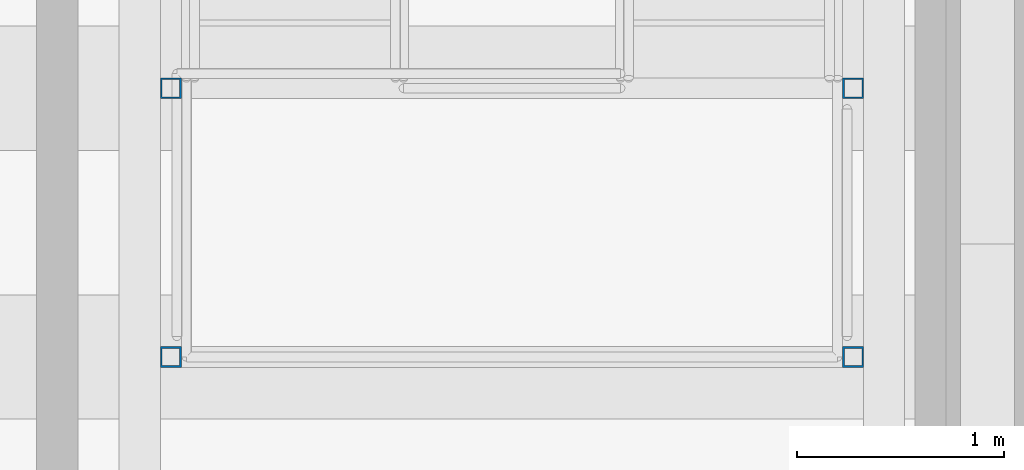
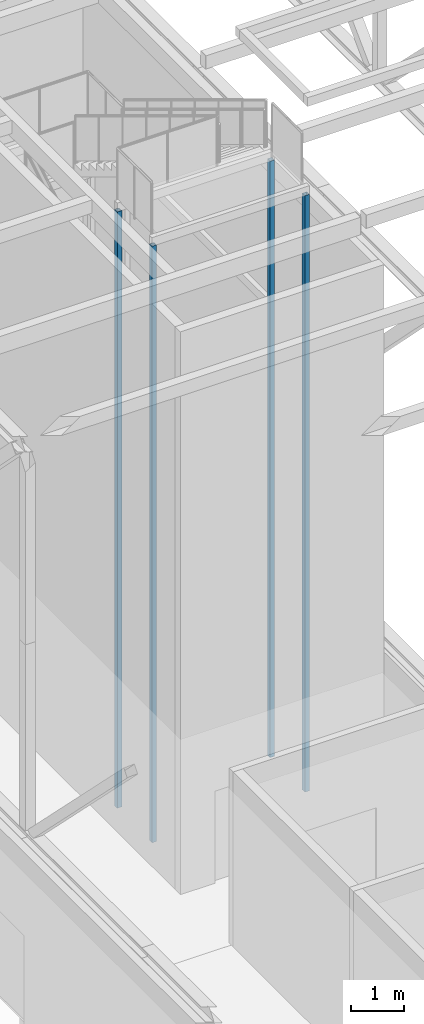
# One storey, part 2 of 646: 4 columns.
"""IFC4 building model written with IfcOpenShell, lengths in metres."""

from ifc_helpers import new_model, si_unit, direction, frame, origin, origin_2d, place, context, subcontext, project, spatial, hollow_rectangle, extrude, material, material_profile, profile_set, type_object, element, save


model = new_model("IFC4")

# Units and contexts
model_context = context("Model", 3, precision=1e-05, world=origin(), true_north=direction((0.0, 1.0)))
body_context = subcontext(model_context, "Body", "Model", "MODEL_VIEW")
ifc_project = project(units=[si_unit("LENGTHUNIT", "METRE"), si_unit("AREAUNIT", "SQUARE_METRE"), si_unit("VOLUMEUNIT", "CUBIC_METRE"), si_unit("PLANEANGLEUNIT", "RADIAN"), si_unit("MASSUNIT", "GRAM", prefix="KILO")], contexts=[model_context])

# Site, building, storey
site_placement = place(None, origin())
site = spatial("IfcSite", under=ifc_project, at=site_placement, CompositionType="ELEMENT")
building_placement = place(site_placement, origin())
building = spatial("IfcBuilding", under=site, at=building_placement, Name="Silverbay Arena", CompositionType="ELEMENT")
storey_placement = place(building_placement, frame((0.0, 0.0, 33.5)))
storey = spatial("IfcBuildingStorey", under=building, at=storey_placement, Name="L05", CompositionType="ELEMENT", Elevation=33.5)

# Columns
ifc_material = material(Name="Steel S355", Category="steel")
ifc_material_profile = material_profile(ifc_material, hollow_rectangle(XDim=0.10009765625, YDim=0.10009765625, WallThickness=0.008056640625, at=origin_2d()), Name="SHS 100x100x8")
ifc_profile_set = profile_set([ifc_material_profile], Name="Steel S355")
column_type = type_object("IfcColumnType", Name="Roof access stair post SHS 100x100x8", PredefinedType="COLUMN", material=ifc_profile_set)
for number, where, z_axis, x_axis, name in (
    (1, (68.050048828125, 67.050048828125, -0.300048828125), (0.0, 0.0, 1.0), (1.0, 0.0, 0.0), "Stair RA1 L05 to ROOF post S1W"),
    (2, (71.35009765625, 67.050048828125, -0.300048828125), (0.0, 0.0, 1.0), (1.0, 0.0, 0.0), "Stair RA1 L05 to ROOF post S1E"),
    (3, (68.050048828125, 68.35009765625, -0.300048828125), (0.0, 0.0, 1.0), (1.0, 0.0, 0.0), "Stair RA1 L05 to ROOF post S2W"),
    (4, (71.35009765625, 68.35009765625, -0.300048828125), (0.0, 0.0, 1.0), (1.0, 0.0, 0.0), "Stair RA1 L05 to ROOF post S2E"),
):
    element("IfcColumn", number, at=place(storey_placement, frame(where, z_axis=z_axis, x_axis=x_axis)), inside=storey, type_object=column_type, Name=name, PredefinedType="COLUMN", context=body_context, shape_type="SweptSolid", body=[
        extrude(hollow_rectangle(XDim=0.10009765625, YDim=0.10009765625, WallThickness=0.008056640625, at=origin_2d()), origin(), (0.0, 0.0, 1.0), 13.6201171875),
    ])

save(model, "model.ifc")
